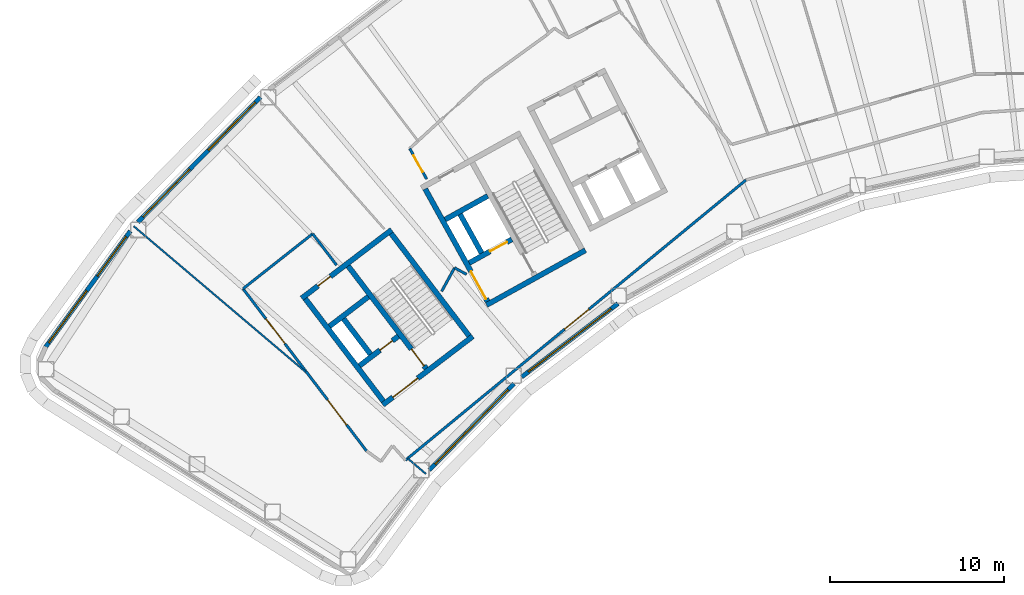
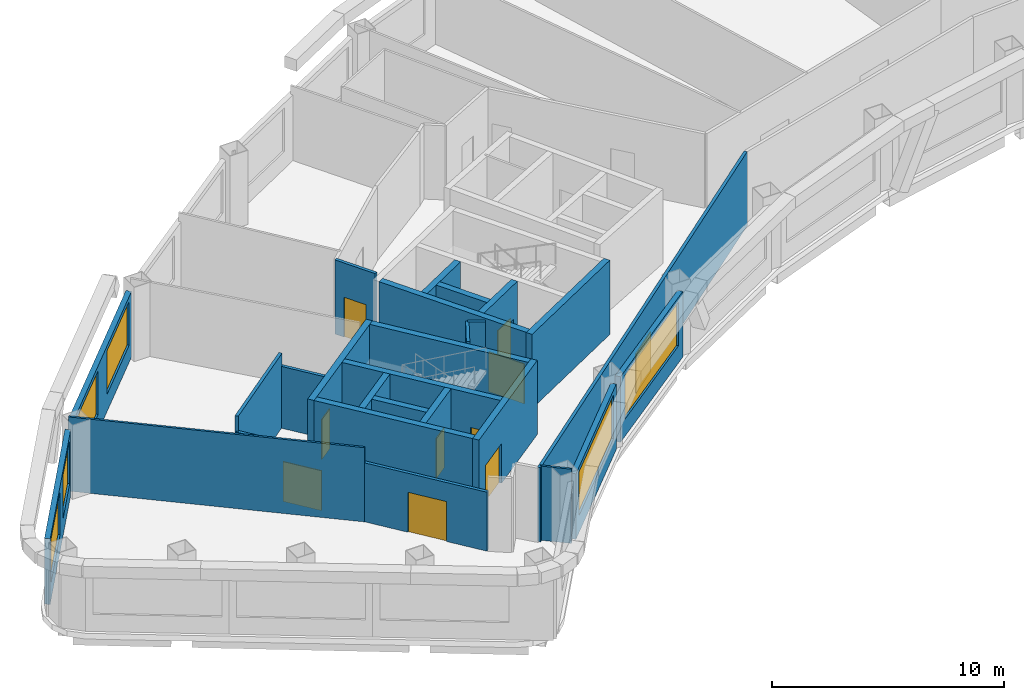
# One storey, part 5 of 14: 26 walls, 10 doors, 6 windows, 16 openings.
"""IFC4 building model written with IfcOpenShell, lengths in metres."""

from ifc_helpers import new_model, si_unit, direction, frame, frame_2d, origin, place, context, subcontext, project, spatial, rectangle, extrude, material, layer, layer_set, type_object, element, fill, save


model = new_model("IFC4")

# Units and contexts
model_context = context("Model", 3, precision=1e-05, world=origin(), true_north=direction((0.0, 1.0)))
body_context = subcontext(model_context, "Body", "Model", "MODEL_VIEW")
ifc_project = project(units=[si_unit("LENGTHUNIT", "METRE"), si_unit("AREAUNIT", "SQUARE_METRE"), si_unit("VOLUMEUNIT", "CUBIC_METRE"), si_unit("PLANEANGLEUNIT", "RADIAN"), si_unit("MASSUNIT", "GRAM", prefix="KILO")], contexts=[model_context])

# Site, building, storey
site_placement = place(None, origin())
site = spatial("IfcSite", under=ifc_project, at=site_placement, CompositionType="ELEMENT")
building_placement = place(site_placement, origin())
building = spatial("IfcBuilding", under=site, at=building_placement, Name="Tuul Gate Civic Tower", CompositionType="ELEMENT")
storey_placement = place(building_placement, frame((0.0, 0.0, 213.699951171875)))
storey = spatial("IfcBuildingStorey", under=building, at=storey_placement, Name="Level 48", CompositionType="ELEMENT", Elevation=213.699951171875)

# Wall, opening, door
ifc_material_1 = material(Name="Concrete C50/60", Category="concrete")
ifc_layer_1 = layer(ifc_material_1, 0.300048828125)
ifc_layer_set_1 = layer_set([ifc_layer_1], Name="Concrete C50/60")
wall_type_1 = type_object("IfcWallType", Name="Core wall C50/60", PredefinedType="SHEAR", material=ifc_layer_set_1)
wall_1_placement = place(storey_placement, frame((-31.19091796875, -13.669677734375, 0.0), z_axis=(0.0, 0.0, 1.0), x_axis=(-0.795606717756, -0.605813461934, 0.0)))
wall_1 = element("IfcWall", 1, at=wall_1_placement, inside=storey, type_object=wall_type_1, Name="Core wall", PredefinedType="SHEAR", context=body_context, shape_type="SweptSolid", body=[
    extrude(rectangle(XDim=6.5, YDim=0.300048828125, at=frame_2d((3.25, 0.0))), origin(), (0.0, 0.0, 1.0), 3.900146484375),
])
opening_1_placement = place(wall_1_placement, frame((3.97509765625, 0.0, 0.0)))
opening_1 = element("IfcOpeningElement", 2, at=opening_1_placement, cuts=wall_1, Name="Opening LB-W1-LOBBY-1", PredefinedType="OPENING", context=body_context, shape_type="SweptSolid", body=[
    extrude(rectangle(XDim=1.800048828125, YDim=2.10009765625, at=frame_2d((0.89990234375, 1.050048828125))), frame((0.0, 0.16015625, 0.0), z_axis=(0.0, -1.0, 0.0), x_axis=(1.0, 0.0, 0.0)), (0.0, 0.0, 1.0), 0.320068359375),
])
ifc_material_2 = material(Name="Steel", Category="steel")
door_type_1 = type_object("IfcDoorType", Name="Lobby door", OperationType="DOUBLE_DOOR_SINGLE_SWING", PredefinedType="DOOR", material=ifc_material_2)
door_1_placement = place(opening_1_placement, origin())
door_1 = element("IfcDoor", 3, at=door_1_placement, inside=storey, type_object=door_type_1, Name="Lobby door W1-LOBBY", OperationType="DOUBLE_DOOR_SINGLE_SWING", OverallHeight=2.10009765625, OverallWidth=1.800048828125, PredefinedType="DOOR", context=body_context, shape_type="SweptSolid", body=[
    extrude(rectangle(XDim=1.800048828125, YDim=2.10009765625, at=frame_2d((0.89990234375, 1.050048828125))), frame((0.0, 0.02490234375, 0.0), z_axis=(0.0, -1.0, 0.0), x_axis=(1.0, 0.0, 0.0)), (0.0, 0.0, 1.0), 0.050048828125),
])
fill(opening_1, door_1)

wall_2_placement = place(storey_placement, frame((-35.470947265625, -13.66064453125, 0.0), z_axis=(0.0, 0.0, 1.0), x_axis=(-0.795615822227, -0.605801504968, 0.0)))
wall_2 = element("IfcWall", 4, at=wall_2_placement, inside=storey, type_object=wall_type_1, Name="Core wall", PredefinedType="SHEAR", context=body_context, shape_type="SweptSolid", body=[
    extrude(rectangle(XDim=2.800048828125, YDim=0.300048828125, at=frame_2d((1.39990234375, 0.0))), origin(), (0.0, 0.0, 1.0), 3.900146484375),
])
opening_2_placement = place(wall_2_placement, frame((0.425048828125, 0.0, 0.0)))
opening_2 = element("IfcOpeningElement", 5, at=opening_2_placement, cuts=wall_2, Name="Opening FB-W1A1", PredefinedType="OPENING", context=body_context, shape_type="SweptSolid", body=[
    extrude(rectangle(XDim=0.89990234375, YDim=2.10009765625, at=frame_2d((0.449951171875, 1.050048828125))), frame((0.0, 0.16015625, 0.0), z_axis=(0.0, -1.0, 0.0), x_axis=(1.0, 0.0, 0.0)), (0.0, 0.0, 1.0), 0.320068359375),
])
ifc_material_3 = material(Name="Steel", Category="steel")
door_type_2 = type_object("IfcDoorType", Name="Store door", OperationType="NOTDEFINED", PredefinedType="DOOR", material=ifc_material_3)
door_2_placement = place(opening_2_placement, frame((0.89990234375, 0.0, 0.0), z_axis=(0.0, 0.0, 1.0), x_axis=(-1.0, 0.0, 0.0)))
door_2 = element("IfcDoor", 6, at=door_2_placement, inside=storey, type_object=door_type_2, Name="Store door W1A1", OperationType="SINGLE_SWING_RIGHT", OverallHeight=2.10009765625, OverallWidth=0.89990234375, PredefinedType="DOOR", context=body_context, shape_type="SweptSolid", body=[
    extrude(rectangle(XDim=0.89990234375, YDim=2.10009765625, at=frame_2d((0.449951171875, 1.050048828125))), frame((0.0, 0.02490234375, 0.0), z_axis=(0.0, -1.0, 0.0), x_axis=(1.0, 0.0, 0.0)), (0.0, 0.0, 1.0), 0.050048828125),
])
fill(opening_2, door_2)

# Wall
wall_3_placement = place(storey_placement, frame((-37.197509765625, -11.39306640625, 0.0), z_axis=(0.0, 0.0, 1.0), x_axis=(-0.795583820278, -0.605843531707, 0.0)))
element("IfcWall", 7, at=wall_3_placement, inside=storey, type_object=wall_type_1, Name="Core wall", PredefinedType="SHEAR", context=body_context, shape_type="SweptSolid", body=[
    extrude(rectangle(XDim=2.7998046875, YDim=0.300048828125, at=frame_2d((1.39990234375, 0.0))), origin(), (0.0, 0.0, 1.0), 3.900146484375),
])

# Wall, opening, door
wall_4_placement = place(storey_placement, frame((-35.855224609375, -7.543212890625, 0.0), z_axis=(0.0, 0.0, 1.0), x_axis=(-0.79563860527, -0.605771582202, 0.0)))
wall_4 = element("IfcWall", 8, at=wall_4_placement, inside=storey, type_object=wall_type_1, Name="Core wall", PredefinedType="SHEAR", context=body_context, shape_type="SweptSolid", body=[
    extrude(rectangle(XDim=6.5, YDim=0.300048828125, at=frame_2d((3.25, 0.0))), origin(), (0.0, 0.0, 1.0), 3.900146484375),
])
opening_3_placement = place(wall_4_placement, frame((4.425048828125, 0.0, 0.0)))
opening_3 = element("IfcOpeningElement", 9, at=opening_3_placement, cuts=wall_4, Name="Opening Q-D26", PredefinedType="OPENING", context=body_context, shape_type="SweptSolid", body=[
    extrude(rectangle(XDim=0.89990234375, YDim=2.10009765625, at=frame_2d((0.449951171875, 1.050048828125))), frame((0.0, 0.16015625, 0.0), z_axis=(0.0, -1.0, 0.0), x_axis=(1.0, 0.0, 0.0)), (0.0, 0.0, 1.0), 0.320068359375),
])
ifc_material_4 = material(Name="Timber door leaf", Category="wood")
door_type_3 = type_object("IfcDoorType", Name="Door D09", OperationType="NOTDEFINED", PredefinedType="DOOR", material=ifc_material_4)
door_3_placement = place(opening_3_placement, origin())
door_3 = element("IfcDoor", 10, at=door_3_placement, inside=storey, type_object=door_type_3, Name="Door Q-D26", OperationType="SINGLE_SWING_LEFT", OverallHeight=2.10009765625, OverallWidth=0.89990234375, PredefinedType="DOOR", context=body_context, shape_type="SweptSolid", body=[
    extrude(rectangle(XDim=0.89990234375, YDim=2.10009765625, at=frame_2d((0.449951171875, 1.050048828125))), frame((0.0, 0.02490234375, 0.0), z_axis=(0.0, -1.0, 0.0), x_axis=(1.0, 0.0, 0.0)), (0.0, 0.0, 1.0), 0.050048828125),
])
fill(opening_3, door_3)

# Wall
wall_5_placement = place(storey_placement, frame((-31.401123046875, -13.64111328125, 0.0), z_axis=(0.0, 0.0, 1.0), x_axis=(-0.605769822278, 0.795639945213, 0.0)))
element("IfcWall", 11, at=wall_5_placement, inside=storey, type_object=wall_type_1, Name="Core wall", PredefinedType="SHEAR", context=body_context, shape_type="SweptSolid", body=[
    extrude(rectangle(XDim=7.39990234375, YDim=0.300048828125, at=frame_2d((3.699951171875, 0.0))), origin(), (0.0, 0.0, 1.0), 3.900146484375),
])

# Wall, opening, door
wall_6_placement = place(storey_placement, frame((-33.867431640625, -15.51904296875, 0.0), z_axis=(0.0, 0.0, 1.0), x_axis=(-0.605769822278, 0.795639945213, 0.0)))
wall_6 = element("IfcWall", 12, at=wall_6_placement, inside=storey, type_object=wall_type_1, Name="Core wall", PredefinedType="SHEAR", context=body_context, shape_type="SweptSolid", body=[
    extrude(rectangle(XDim=7.39990234375, YDim=0.300048828125, at=frame_2d((3.699951171875, 0.0))), origin(), (0.0, 0.0, 1.0), 3.900146484375),
])
opening_4_placement = place(wall_6_placement, frame((0.199951171875, 0.0, 0.0)))
opening_4 = element("IfcOpeningElement", 13, at=opening_4_placement, cuts=wall_6, Name="Opening SD-ST-1", PredefinedType="OPENING", context=body_context, shape_type="SweptSolid", body=[
    extrude(rectangle(XDim=1.199951171875, YDim=2.10009765625, at=frame_2d((0.60009765625, 1.050048828125))), frame((0.0, 0.16015625, 0.0), z_axis=(0.0, -1.0, 0.0), x_axis=(1.0, 0.0, 0.0)), (0.0, 0.0, 1.0), 0.320068359375),
])
ifc_material_5 = material(Name="Steel", Category="steel")
door_type_4 = type_object("IfcDoorType", Name="Stair door", OperationType="NOTDEFINED", PredefinedType="DOOR", material=ifc_material_5)
door_4_placement = place(opening_4_placement, origin())
door_4 = element("IfcDoor", 14, at=door_4_placement, inside=storey, type_object=door_type_4, Name="Stair door ST-1", OperationType="SINGLE_SWING_LEFT", OverallHeight=2.10009765625, OverallWidth=1.199951171875, PredefinedType="DOOR", context=body_context, shape_type="SweptSolid", body=[
    extrude(rectangle(XDim=1.199951171875, YDim=2.10009765625, at=frame_2d((0.60009765625, 1.050048828125))), frame((0.0, 0.02490234375, 0.0), z_axis=(0.0, -1.0, 0.0), x_axis=(1.0, 0.0, 0.0)), (0.0, 0.0, 1.0), 0.050048828125),
])
fill(opening_4, door_4)

# Walls
wall_7_placement = place(storey_placement, frame((-37.073486328125, -14.6923828125, 0.0), z_axis=(0.0, 0.0, 1.0), x_axis=(-0.605728760074, 0.79567120673, 0.0)))
element("IfcWall", 15, at=wall_7_placement, inside=storey, type_object=wall_type_1, Name="Core wall", PredefinedType="SHEAR", context=body_context, shape_type="SweptSolid", body=[
    extrude(rectangle(XDim=2.550048828125, YDim=0.300048828125, at=frame_2d((1.27490234375, 0.0))), origin(), (0.0, 0.0, 1.0), 3.900146484375),
])
wall_8_placement = place(storey_placement, frame((-36.333984375, -17.397216796875, 0.0), z_axis=(0.0, 0.0, 1.0), x_axis=(-0.605753921168, 0.795652051458, 0.0)))
element("IfcWall", 16, at=wall_8_placement, inside=storey, type_object=wall_type_1, Name="Core wall", PredefinedType="SHEAR", context=body_context, shape_type="SweptSolid", body=[
    extrude(rectangle(XDim=7.400146484375, YDim=0.300048828125, at=frame_2d((3.7001953125, 0.0))), origin(), (0.0, 0.0, 1.0), 3.900146484375),
])
wall_9_placement = place(storey_placement, frame((-24.711669921875, -8.7158203125, 0.0), z_axis=(0.0, 0.0, 1.0), x_axis=(-0.874629909008, -0.484791215132, 0.0)))
element("IfcWall", 17, at=wall_9_placement, inside=storey, type_object=wall_type_1, Name="Core wall", PredefinedType="SHEAR", context=body_context, shape_type="SweptSolid", body=[
    extrude(rectangle(XDim=6.5, YDim=0.300048828125, at=frame_2d((3.25, 0.0))), origin(), (0.0, 0.0, 1.0), 3.900146484375),
])

# Wall, opening, door
wall_10_placement = place(storey_placement, frame((-28.94580078125, -8.090087890625, 0.0), z_axis=(0.0, 0.0, 1.0), x_axis=(-0.874629840737, -0.484791338301, 0.0)))
wall_10 = element("IfcWall", 18, at=wall_10_placement, inside=storey, type_object=wall_type_1, Name="Core wall", PredefinedType="SHEAR", context=body_context, shape_type="SweptSolid", body=[
    extrude(rectangle(XDim=2.800048828125, YDim=0.300048828125, at=frame_2d((1.39990234375, 0.0))), origin(), (0.0, 0.0, 1.0), 3.900146484375),
])
opening_5_placement = place(wall_10_placement, frame((0.324951171875, 0.0, 0.0)))
opening_5 = element("IfcOpeningElement", 19, at=opening_5_placement, cuts=wall_10, Name="Opening LD-FF-1", PredefinedType="OPENING", context=body_context, shape_type="SweptSolid", body=[
    extrude(rectangle(XDim=1.10009765625, YDim=2.10009765625, at=frame_2d((0.550048828125, 1.050048828125))), frame((0.0, 0.16015625, 0.0), z_axis=(0.0, -1.0, 0.0), x_axis=(1.0, 0.0, 0.0)), (0.0, 0.0, 1.0), 0.320068359375),
])
ifc_material_6 = material(Name="Stainless steel", Category="steel")
door_type_5 = type_object("IfcDoorType", Name="Landing door", OperationType="DOUBLE_DOOR_SLIDING", PredefinedType="DOOR", material=ifc_material_6)
door_5_placement = place(opening_5_placement, origin())
door_5 = element("IfcDoor", 20, at=door_5_placement, inside=storey, type_object=door_type_5, Name="Fire-fighting lift FF-1 landing door", OperationType="DOUBLE_DOOR_SLIDING", OverallHeight=2.10009765625, OverallWidth=1.10009765625, PredefinedType="DOOR", context=body_context, shape_type="SweptSolid", body=[
    extrude(rectangle(XDim=1.10009765625, YDim=2.10009765625, at=frame_2d((0.550048828125, 1.050048828125))), frame((0.0, 0.02490234375, 0.0), z_axis=(0.0, -1.0, 0.0), x_axis=(1.0, 0.0, 0.0)), (0.0, 0.0, 1.0), 0.050048828125),
])
fill(opening_5, door_5)

# Walls
wall_11_placement = place(storey_placement, frame((-30.327392578125, -5.59716796875, 0.0), z_axis=(0.0, 0.0, 1.0), x_axis=(-0.874629840737, -0.484791338301, 0.0)))
element("IfcWall", 21, at=wall_11_placement, inside=storey, type_object=wall_type_1, Name="Core wall", PredefinedType="SHEAR", context=body_context, shape_type="SweptSolid", body=[
    extrude(rectangle(XDim=2.800048828125, YDim=0.300048828125, at=frame_2d((1.39990234375, 0.0))), origin(), (0.0, 0.0, 1.0), 3.900146484375),
])
wall_12_placement = place(storey_placement, frame((-30.680419921875, -8.8798828125, 0.0), z_axis=(0.0, 0.0, 1.0), x_axis=(-0.484724115216, 0.874667097888, 0.0)))
element("IfcWall", 22, at=wall_12_placement, inside=storey, type_object=wall_type_1, Name="Core wall", PredefinedType="SHEAR", context=body_context, shape_type="SweptSolid", body=[
    extrude(rectangle(XDim=2.550048828125, YDim=0.300048828125, at=frame_2d((1.27490234375, 0.0))), origin(), (0.0, 0.0, 1.0), 3.900146484375),
])

# Wall, opening, door
wall_13_placement = place(storey_placement, frame((-30.33837890625, -11.6630859375, 0.0), z_axis=(0.0, 0.0, 1.0), x_axis=(-0.484751894226, 0.874651702704, 0.0)))
wall_13 = element("IfcWall", 23, at=wall_13_placement, inside=storey, type_object=wall_type_1, Name="Core wall", PredefinedType="SHEAR", context=body_context, shape_type="SweptSolid", body=[
    extrude(rectangle(XDim=7.39990234375, YDim=0.300048828125, at=frame_2d((3.699951171875, 0.0))), origin(), (0.0, 0.0, 1.0), 3.900146484375),
])
opening_6_placement = place(wall_13_placement, frame((0.175048828125, 0.0, 0.0)))
opening_6 = element("IfcOpeningElement", 24, at=opening_6_placement, cuts=wall_13, Name="Opening LB-W2-FLOBBY-1", PredefinedType="OPENING", context=body_context, shape_type="SweptSolid", body=[
    extrude(rectangle(XDim=1.800048828125, YDim=2.10009765625, at=frame_2d((0.89990234375, 1.050048828125))), frame((0.0, 0.16015625, 0.0), z_axis=(0.0, -1.0, 0.0), x_axis=(1.0, 0.0, 0.0)), (0.0, 0.0, 1.0), 0.320068359375),
])
door_6_placement = place(opening_6_placement, frame((1.800048828125, 0.0, 0.0), z_axis=(0.0, 0.0, 1.0), x_axis=(-1.0, 0.0, 0.0)))
door_6 = element("IfcDoor", 25, at=door_6_placement, inside=storey, type_object=door_type_1, Name="Lobby door W2-FLOBBY", OperationType="DOUBLE_DOOR_SINGLE_SWING", OverallHeight=2.10009765625, OverallWidth=1.800048828125, PredefinedType="DOOR", context=body_context, shape_type="SweptSolid", body=[
    extrude(rectangle(XDim=1.800048828125, YDim=2.10009765625, at=frame_2d((0.900146484375, 1.050048828125))), frame((0.0, 0.02490234375, 0.0), z_axis=(0.0, -1.0, 0.0), x_axis=(1.0, 0.0, 0.0)), (0.0, 0.0, 1.0), 0.050048828125),
])
fill(opening_6, door_6)

ifc_material_7 = material(Name="Gypsum board partition")
ifc_layer_2 = layer(ifc_material_7, 0.14990234375)
ifc_layer_set_2 = layer_set([ifc_layer_2], Name="Gypsum board partition")
wall_type_2 = type_object("IfcWallType", Name="Corridor wall P150", PredefinedType="PARTITIONING", material=ifc_layer_set_2)
wall_14_placement = place(storey_placement, frame((-34.8125, -2.867919921875, 0.0), z_axis=(0.0, 0.0, 1.0), x_axis=(0.484735632854, -0.87466071493, 0.0)))
wall_14 = element("IfcWall", 26, at=wall_14_placement, inside=storey, type_object=wall_type_2, Name="p051", PredefinedType="PARTITIONING", context=body_context, shape_type="SweptSolid", body=[
    extrude(rectangle(XDim=2.010986328125, YDim=0.14990234375, at=frame_2d((1.00537109375, 0.0))), origin(), (0.0, 0.0, 1.0), 3.900146484375),
])
opening_7_placement = place(wall_14_placement, frame((0.45556640625, 0.0, 0.0)))
opening_7 = element("IfcOpeningElement", 27, at=opening_7_placement, cuts=wall_14, Name="Opening Q-D18", PredefinedType="OPENING", context=body_context, shape_type="SweptSolid", body=[
    extrude(rectangle(XDim=1.10009765625, YDim=2.10009765625, at=frame_2d((0.550048828125, 1.050048828125))), frame((0.0, 0.0849609375, 0.0), z_axis=(0.0, -1.0, 0.0), x_axis=(1.0, 0.0, 0.0)), (0.0, 0.0, 1.0), 0.169921875),
])
ifc_material_8 = material(Name="Timber door leaf", Category="wood")
door_type_6 = type_object("IfcDoorType", Name="Door D11", OperationType="NOTDEFINED", PredefinedType="DOOR", material=ifc_material_8)
door_7_placement = place(opening_7_placement, frame((1.10009765625, 0.0, 0.0), z_axis=(0.0, 0.0, 1.0), x_axis=(-1.0, 0.0, 0.0)))
door_7 = element("IfcDoor", 28, at=door_7_placement, inside=storey, type_object=door_type_6, Name="Door Q-D18", OperationType="SINGLE_SWING_LEFT", OverallHeight=2.10009765625, OverallWidth=1.10009765625, PredefinedType="DOOR", context=body_context, shape_type="SweptSolid", body=[
    extrude(rectangle(XDim=1.10009765625, YDim=2.10009765625, at=frame_2d((0.550048828125, 1.050048828125))), frame((0.0, 0.02490234375, 0.0), z_axis=(0.0, -1.0, 0.0), x_axis=(1.0, 0.0, 0.0)), (0.0, 0.0, 1.0), 0.050048828125),
])
fill(opening_7, door_7)

# Walls
wall_15_placement = place(storey_placement, frame((-32.236328125, -9.727294921875, 0.0), z_axis=(0.0, 0.0, 1.0), x_axis=(0.877220430249, -0.480087821918, 0.0)))
element("IfcWall", 29, at=wall_15_placement, inside=storey, type_object=wall_type_2, Name="p052", PredefinedType="PARTITIONING", context=body_context, shape_type="SweptSolid", body=[
    extrude(rectangle(XDim=0.788818359375, YDim=0.14990234375, at=frame_2d((0.39453125, 0.0))), origin(), (0.0, 0.0, 1.0), 3.900146484375),
])
wall_16_placement = place(storey_placement, frame((-32.9755859375, -11.0771484375, 0.0), z_axis=(0.0, 0.0, 1.0), x_axis=(0.479974551529, 0.877282411704, 0.0)))
element("IfcWall", 30, at=wall_16_placement, inside=storey, type_object=wall_type_2, Name="p053", PredefinedType="PARTITIONING", context=body_context, shape_type="SweptSolid", body=[
    extrude(rectangle(XDim=1.53857421875, YDim=0.14990234375, at=frame_2d((0.769287109375, 0.0))), origin(), (0.0, 0.0, 1.0), 3.900146484375),
])
wall_17_placement = place(storey_placement, frame((-44.39892578125, -10.93115234375, 0.0), z_axis=(0.0, 0.0, 1.0), x_axis=(0.784827618776, 0.619714134748, 0.0)))
element("IfcWall", 31, at=wall_17_placement, inside=storey, type_object=wall_type_2, Name="p057", PredefinedType="PARTITIONING", context=body_context, shape_type="SweptSolid", body=[
    extrude(rectangle(XDim=5.099853515625, YDim=0.14990234375, at=frame_2d((2.5498046875, 0.0))), origin(), (0.0, 0.0, 1.0), 3.900146484375),
])

# Wall, opening, door
wall_18_placement = place(storey_placement, frame((-35.060791015625, -20.792724609375, 0.0), z_axis=(0.0, 0.0, 1.0), x_axis=(0.772182539478, 0.635400759935, 0.0)))
wall_18 = element("IfcWall", 32, at=wall_18_placement, inside=storey, type_object=wall_type_2, Name="p062", PredefinedType="PARTITIONING", context=body_context, shape_type="SweptSolid", body=[
    extrude(rectangle(XDim=25.356201171875, YDim=0.14990234375, at=frame_2d((12.67822265625, 0.0))), origin(), (0.0, 0.0, 1.0), 3.900146484375),
])
opening_8_placement = place(wall_18_placement, frame((11.860595703125, 0.0, 0.0)))
opening_8 = element("IfcOpeningElement", 33, at=opening_8_placement, cuts=wall_18, Name="Opening Q-D22", PredefinedType="OPENING", context=body_context, shape_type="SweptSolid", body=[
    extrude(rectangle(XDim=1.800048828125, YDim=2.10009765625, at=frame_2d((0.89990234375, 1.050048828125))), frame((0.0, 0.0849609375, 0.0), z_axis=(0.0, -1.0, 0.0), x_axis=(1.0, 0.0, 0.0)), (0.0, 0.0, 1.0), 0.169921875),
])
ifc_material_9 = material(Name="Timber door leaf, double", Category="wood")
door_type_7 = type_object("IfcDoorType", Name="Door D18", OperationType="DOUBLE_DOOR_SINGLE_SWING", PredefinedType="DOOR", material=ifc_material_9)
door_8_placement = place(opening_8_placement, origin())
door_8 = element("IfcDoor", 34, at=door_8_placement, inside=storey, type_object=door_type_7, Name="Door Q-D22", OperationType="DOUBLE_DOOR_SINGLE_SWING", OverallHeight=2.10009765625, OverallWidth=1.800048828125, PredefinedType="DOOR", context=body_context, shape_type="SweptSolid", body=[
    extrude(rectangle(XDim=1.800048828125, YDim=2.10009765625, at=frame_2d((0.89990234375, 1.050048828125))), frame((0.0, 0.02490234375, 0.0), z_axis=(0.0, -1.0, 0.0), x_axis=(1.0, 0.0, 0.0)), (0.0, 0.0, 1.0), 0.050048828125),
])
fill(opening_8, door_8)

# Wall, openings, doors
ifc_material_10 = material(Name="Gypsum board partition")
ifc_layer_3 = layer(ifc_material_10, 0.14990234375)
ifc_layer_set_3 = layer_set([ifc_layer_3], Name="Gypsum board partition")
wall_type_3 = type_object("IfcWallType", Name="Corridor wall P150 3100 HIGH", PredefinedType="PARTITIONING", material=ifc_layer_set_3)
wall_19_placement = place(storey_placement, frame((-44.399169921875, -10.931884765625, 0.0), z_axis=(0.0, 0.0, 1.0), x_axis=(0.605769572964, -0.79564013503, 0.0)))
wall_19 = element("IfcWall", 35, at=wall_19_placement, inside=storey, type_object=wall_type_3, Name="p058", PredefinedType="PARTITIONING", context=body_context, shape_type="SweptSolid", body=[
    extrude(rectangle(XDim=11.7216796875, YDim=0.14990234375, at=frame_2d((5.86083984375, 0.0))), origin(), (0.0, 0.0, 1.0), 3.10009765625),
])
opening_9_placement = place(wall_19_placement, frame((2.169921875, 0.0, 0.0)))
opening_9 = element("IfcOpeningElement", 36, at=opening_9_placement, cuts=wall_19, Name="Opening Q-D19", PredefinedType="OPENING", context=body_context, shape_type="SweptSolid", body=[
    extrude(rectangle(XDim=1.800048828125, YDim=2.10009765625, at=frame_2d((0.89990234375, 1.050048828125))), frame((0.0, 0.0849609375, 0.0), z_axis=(0.0, -1.0, 0.0), x_axis=(1.0, 0.0, 0.0)), (0.0, 0.0, 1.0), 0.169921875),
])
opening_10_placement = place(wall_19_placement, frame((8.030517578125, 0.0, 0.0)))
opening_10 = element("IfcOpeningElement", 37, at=opening_10_placement, cuts=wall_19, Name="Opening Q-D20", PredefinedType="OPENING", context=body_context, shape_type="SweptSolid", body=[
    extrude(rectangle(XDim=1.800048828125, YDim=2.10009765625, at=frame_2d((0.89990234375, 1.050048828125))), frame((0.0, 0.0849609375, 0.0), z_axis=(0.0, -1.0, 0.0), x_axis=(1.0, 0.0, 0.0)), (0.0, 0.0, 1.0), 0.169921875),
])
door_9_placement = place(opening_9_placement, origin())
door_9 = element("IfcDoor", 38, at=door_9_placement, inside=storey, type_object=door_type_7, Name="Door Q-D19", OperationType="DOUBLE_DOOR_SINGLE_SWING", OverallHeight=2.10009765625, OverallWidth=1.800048828125, PredefinedType="DOOR", context=body_context, shape_type="SweptSolid", body=[
    extrude(rectangle(XDim=1.800048828125, YDim=2.10009765625, at=frame_2d((0.89990234375, 1.050048828125))), frame((0.0, 0.02490234375, 0.0), z_axis=(0.0, -1.0, 0.0), x_axis=(1.0, 0.0, 0.0)), (0.0, 0.0, 1.0), 0.050048828125),
])
fill(opening_9, door_9)
door_10_placement = place(opening_10_placement, frame((1.800048828125, 0.0, 0.0), z_axis=(0.0, 0.0, 1.0), x_axis=(-1.0, 0.0, 0.0)))
door_10 = element("IfcDoor", 39, at=door_10_placement, inside=storey, type_object=door_type_7, Name="Door Q-D20", OperationType="DOUBLE_DOOR_SINGLE_SWING", OverallHeight=2.10009765625, OverallWidth=1.800048828125, PredefinedType="DOOR", context=body_context, shape_type="SweptSolid", body=[
    extrude(rectangle(XDim=1.800048828125, YDim=2.10009765625, at=frame_2d((0.900146484375, 1.050048828125))), frame((0.0, 0.02490234375, 0.0), z_axis=(0.0, -1.0, 0.0), x_axis=(1.0, 0.0, 0.0)), (0.0, 0.0, 1.0), 0.050048828125),
])
fill(opening_10, door_10)

# Wall
ifc_material_11 = material(Name="Gypsum board partition")
ifc_layer_4 = layer(ifc_material_11, 0.14990234375)
ifc_layer_set_4 = layer_set([ifc_layer_4], Name="Gypsum board partition")
wall_type_4 = type_object("IfcWallType", Name="Corridor wall P150 3250 HIGH", PredefinedType="PARTITIONING", material=ifc_layer_set_4)
wall_20_placement = place(storey_placement, frame((-40.395751953125, -7.770751953125, 0.0), z_axis=(0.0, 0.0, 1.0), x_axis=(0.605939480415, -0.795510745417, 0.0)))
element("IfcWall", 40, at=wall_20_placement, inside=storey, type_object=wall_type_4, Name="p056", PredefinedType="PARTITIONING", context=body_context, shape_type="SweptSolid", body=[
    extrude(rectangle(XDim=2.269287109375, YDim=0.14990234375, at=frame_2d((1.134765625, 0.0))), origin(), (0.0, 0.0, 1.0), 3.25),
])

# Wall, openings, windows
ifc_material_12 = material(Name="Precast concrete C40/50", Category="concrete")
ifc_layer_5 = layer(ifc_material_12, 0.25)
ifc_layer_set_5 = layer_set([ifc_layer_5], Name="Precast concrete C40/50")
wall_type_5 = type_object("IfcWallType", Name="External wall", PredefinedType="STANDARD", material=ifc_layer_set_5)
wall_21_placement = place(storey_placement, frame((-43.407958984375, 0.079345703125, 0.0), z_axis=(0.0, 0.0, 1.0), x_axis=(-0.699992252886, -0.714150436463, 0.0)))
wall_21 = element("IfcWall", 41, at=wall_21_placement, inside=storey, type_object=wall_type_5, Name="External wall", PredefinedType="STANDARD", context=body_context, shape_type="SweptSolid", body=[
    extrude(rectangle(XDim=10.05322265625, YDim=0.25, at=frame_2d((5.026611328125, 0.0))), origin(), (0.0, 0.0, 1.0), 3.449951171875),
])
opening_11_placement = place(wall_21_placement, frame((0.416015625, 0.0, 0.89990234375)))
opening_11 = element("IfcOpeningElement", 42, at=opening_11_placement, cuts=wall_21, Name="Opening W22", PredefinedType="OPENING", context=body_context, shape_type="SweptSolid", body=[
    extrude(rectangle(XDim=3.85009765625, YDim=2.300048828125, at=frame_2d((1.925048828125, 1.14990234375))), frame((0.0, 0.135009765625, 0.0), z_axis=(0.0, -1.0, 0.0), x_axis=(1.0, 0.0, 0.0)), (0.0, 0.0, 1.0), 0.27001953125),
])
opening_12_placement = place(wall_21_placement, frame((5.78759765625, 0.0, 0.89990234375)))
opening_12 = element("IfcOpeningElement", 43, at=opening_12_placement, cuts=wall_21, Name="Opening W22", PredefinedType="OPENING", context=body_context, shape_type="SweptSolid", body=[
    extrude(rectangle(XDim=3.85009765625, YDim=2.300048828125, at=frame_2d((1.925048828125, 1.14990234375))), frame((0.0, 0.135009765625, 0.0), z_axis=(0.0, -1.0, 0.0), x_axis=(1.0, 0.0, 0.0)), (0.0, 0.0, 1.0), 0.27001953125),
])
ifc_material_13 = material(Name="Glass", Category="glass")
window_type_1 = type_object("IfcWindowType", Name="Window W22 3850 x 2300", PartitioningType="SINGLE_PANEL", PredefinedType="WINDOW", material=ifc_material_13)
window_1_placement = place(opening_11_placement, origin())
window_1 = element("IfcWindow", 44, at=window_1_placement, inside=storey, type_object=window_type_1, Name="Window", OverallHeight=2.300048828125, OverallWidth=3.85009765625, PartitioningType="SINGLE_PANEL", PredefinedType="WINDOW", context=body_context, shape_type="SweptSolid", body=[
    extrude(rectangle(XDim=3.85009765625, YDim=2.300048828125, at=frame_2d((1.925048828125, 1.14990234375))), frame((0.0, 0.030029296875, 0.0), z_axis=(0.0, -1.0, 0.0), x_axis=(1.0, 0.0, 0.0)), (0.0, 0.0, 1.0), 0.06005859375),
])
fill(opening_11, window_1)
window_2_placement = place(opening_12_placement, origin())
window_2 = element("IfcWindow", 45, at=window_2_placement, inside=storey, type_object=window_type_1, Name="Window", OverallHeight=2.300048828125, OverallWidth=3.85009765625, PartitioningType="SINGLE_PANEL", PredefinedType="WINDOW", context=body_context, shape_type="SweptSolid", body=[
    extrude(rectangle(XDim=3.85009765625, YDim=2.300048828125, at=frame_2d((1.925048828125, 1.14990234375))), frame((0.0, 0.030029296875, 0.0), z_axis=(0.0, -1.0, 0.0), x_axis=(1.0, 0.0, 0.0)), (0.0, 0.0, 1.0), 0.06005859375),
])
fill(opening_12, window_2)

wall_22_placement = place(storey_placement, frame((-50.882080078125, -7.615966796875, 0.0), z_axis=(0.0, 0.0, 1.0), x_axis=(-0.589874908102, -0.807494639482, 0.0)))
wall_22 = element("IfcWall", 46, at=wall_22_placement, inside=storey, type_object=wall_type_5, Name="External wall", PredefinedType="STANDARD", context=body_context, shape_type="SweptSolid", body=[
    extrude(rectangle(XDim=8.25244140625, YDim=0.25, at=frame_2d((4.126220703125, 0.0))), origin(), (0.0, 0.0, 1.0), 3.449951171875),
])
opening_13_placement = place(wall_22_placement, frame((0.39990234375, 0.0, 0.89990234375)))
opening_13 = element("IfcOpeningElement", 47, at=opening_13_placement, cuts=wall_22, Name="Opening W23", PredefinedType="OPENING", context=body_context, shape_type="SweptSolid", body=[
    extrude(rectangle(XDim=2.800048828125, YDim=2.300048828125, at=frame_2d((1.39990234375, 1.14990234375))), frame((0.0, 0.135009765625, 0.0), z_axis=(0.0, -1.0, 0.0), x_axis=(1.0, 0.0, 0.0)), (0.0, 0.0, 1.0), 0.27001953125),
])
opening_14_placement = place(wall_22_placement, frame((4.251708984375, 0.0, 0.89990234375)))
opening_14 = element("IfcOpeningElement", 48, at=opening_14_placement, cuts=wall_22, Name="Opening W21", PredefinedType="OPENING", context=body_context, shape_type="SweptSolid", body=[
    extrude(rectangle(XDim=3.699951171875, YDim=2.300048828125, at=frame_2d((1.85009765625, 1.14990234375))), frame((0.0, 0.135009765625, 0.0), z_axis=(0.0, -1.0, 0.0), x_axis=(1.0, 0.0, 0.0)), (0.0, 0.0, 1.0), 0.27001953125),
])
ifc_material_14 = material(Name="Glass", Category="glass")
window_type_2 = type_object("IfcWindowType", Name="Window W21 3700 x 2300", PartitioningType="SINGLE_PANEL", PredefinedType="WINDOW", material=ifc_material_14)
window_3_placement = place(opening_14_placement, origin())
window_3 = element("IfcWindow", 49, at=window_3_placement, inside=storey, type_object=window_type_2, Name="Window", OverallHeight=2.300048828125, OverallWidth=3.699951171875, PartitioningType="SINGLE_PANEL", PredefinedType="WINDOW", context=body_context, shape_type="SweptSolid", body=[
    extrude(rectangle(XDim=3.699951171875, YDim=2.300048828125, at=frame_2d((1.85009765625, 1.14990234375))), frame((0.0, 0.030029296875, 0.0), z_axis=(0.0, -1.0, 0.0), x_axis=(1.0, 0.0, 0.0)), (0.0, 0.0, 1.0), 0.06005859375),
])
fill(opening_14, window_3)
ifc_material_15 = material(Name="Glass", Category="glass")
window_type_3 = type_object("IfcWindowType", Name="Window W23 2800 x 2300", PartitioningType="SINGLE_PANEL", PredefinedType="WINDOW", material=ifc_material_15)
window_4_placement = place(opening_13_placement, origin())
window_4 = element("IfcWindow", 50, at=window_4_placement, inside=storey, type_object=window_type_3, Name="Window", OverallHeight=2.300048828125, OverallWidth=2.800048828125, PartitioningType="SINGLE_PANEL", PredefinedType="WINDOW", context=body_context, shape_type="SweptSolid", body=[
    extrude(rectangle(XDim=2.800048828125, YDim=2.300048828125, at=frame_2d((1.39990234375, 1.14990234375))), frame((0.0, 0.030029296875, 0.0), z_axis=(0.0, -1.0, 0.0), x_axis=(1.0, 0.0, 0.0)), (0.0, 0.0, 1.0), 0.06005859375),
])
fill(opening_13, window_4)

# Wall, opening, window
wall_23_placement = place(storey_placement, frame((-33.69091796875, -21.3642578125, 0.0), z_axis=(0.0, 0.0, 1.0), x_axis=(0.700029726531, 0.714113703813, 0.0)))
wall_23 = element("IfcWall", 51, at=wall_23_placement, inside=storey, type_object=wall_type_5, Name="External wall", PredefinedType="STANDARD", context=body_context, shape_type="SweptSolid", body=[
    extrude(rectangle(XDim=6.968505859375, YDim=0.25, at=frame_2d((3.484375, 0.0))), origin(), (0.0, 0.0, 1.0), 3.449951171875),
])
opening_15_placement = place(wall_23_placement, frame((0.484375, 0.0, 0.89990234375)))
opening_15 = element("IfcOpeningElement", 52, at=opening_15_placement, cuts=wall_23, Name="Opening W26", PredefinedType="OPENING", context=body_context, shape_type="SweptSolid", body=[
    extrude(rectangle(XDim=6.0, YDim=2.300048828125, at=frame_2d((3.0, 1.14990234375))), frame((0.0, 0.135009765625, 0.0), z_axis=(0.0, -1.0, 0.0), x_axis=(1.0, 0.0, 0.0)), (0.0, 0.0, 1.0), 0.27001953125),
])
ifc_material_16 = material(Name="Glass", Category="glass")
window_type_4 = type_object("IfcWindowType", Name="Window W26 6000 x 2300", PartitioningType="SINGLE_PANEL", PredefinedType="WINDOW", material=ifc_material_16)
window_5_placement = place(opening_15_placement, origin())
window_5 = element("IfcWindow", 53, at=window_5_placement, inside=storey, type_object=window_type_4, Name="Window", OverallHeight=2.300048828125, OverallWidth=6.0, PartitioningType="SINGLE_PANEL", PredefinedType="WINDOW", context=body_context, shape_type="SweptSolid", body=[
    extrude(rectangle(XDim=6.0, YDim=2.300048828125, at=frame_2d((3.0, 1.14990234375))), frame((0.0, 0.030029296875, 0.0), z_axis=(0.0, -1.0, 0.0), x_axis=(1.0, 0.0, 0.0)), (0.0, 0.0, 1.0), 0.06005859375),
])
fill(opening_15, window_5)

wall_24_placement = place(storey_placement, frame((-28.376953125, -16.00390625, 0.0), z_axis=(0.0, 0.0, 1.0), x_axis=(0.79557348273, 0.605857106566, 0.0)))
wall_24 = element("IfcWall", 54, at=wall_24_placement, inside=storey, type_object=wall_type_5, Name="External wall", PredefinedType="STANDARD", context=body_context, shape_type="SweptSolid", body=[
    extrude(rectangle(XDim=6.956787109375, YDim=0.25, at=frame_2d((3.478515625, 0.0))), origin(), (0.0, 0.0, 1.0), 3.449951171875),
])
opening_16_placement = place(wall_24_placement, frame((0.478271484375, 0.0, 0.89990234375)))
opening_16 = element("IfcOpeningElement", 55, at=opening_16_placement, cuts=wall_24, Name="Opening W26", PredefinedType="OPENING", context=body_context, shape_type="SweptSolid", body=[
    extrude(rectangle(XDim=6.0, YDim=2.300048828125, at=frame_2d((3.0, 1.14990234375))), frame((0.0, 0.135009765625, 0.0), z_axis=(0.0, -1.0, 0.0), x_axis=(1.0, 0.0, 0.0)), (0.0, 0.0, 1.0), 0.27001953125),
])
window_6_placement = place(opening_16_placement, origin())
window_6 = element("IfcWindow", 56, at=window_6_placement, inside=storey, type_object=window_type_4, Name="Window", OverallHeight=2.300048828125, OverallWidth=6.0, PartitioningType="SINGLE_PANEL", PredefinedType="WINDOW", context=body_context, shape_type="SweptSolid", body=[
    extrude(rectangle(XDim=6.0, YDim=2.300048828125, at=frame_2d((3.0, 1.14990234375))), frame((0.0, 0.030029296875, 0.0), z_axis=(0.0, -1.0, 0.0), x_axis=(1.0, 0.0, 0.0)), (0.0, 0.0, 1.0), 0.06005859375),
])
fill(opening_16, window_6)

# Walls
ifc_material_17 = material(Name="Gypsum board partition")
ifc_layer_6 = layer(ifc_material_17, 0.10009765625)
ifc_layer_set_6 = layer_set([ifc_layer_6], Name="Gypsum board partition")
wall_type_6 = type_object("IfcWallType", Name="Partition P100", PredefinedType="PARTITIONING", material=ifc_layer_set_6)
wall_25_placement = place(storey_placement, frame((-50.68408203125, -7.3369140625, 0.0), z_axis=(0.0, 0.0, 1.0), x_axis=(0.762828846954, -0.646600456429, 0.0)))
element("IfcWall", 57, at=wall_25_placement, inside=storey, type_object=wall_type_6, Name="p054", PredefinedType="PARTITIONING", context=body_context, shape_type="SweptSolid", body=[
    extrude(rectangle(XDim=12.96435546875, YDim=0.10009765625, at=frame_2d((6.482177734375, 0.0))), origin(), (0.0, 0.0, 1.0), 3.900146484375),
])
wall_26_placement = place(storey_placement, frame((-34.93310546875, -20.687744140625, 0.0), z_axis=(0.0, 0.0, 1.0), x_axis=(0.762682383891, -0.646773207008, 0.0)))
element("IfcWall", 58, at=wall_26_placement, inside=storey, type_object=wall_type_6, Name="p055", PredefinedType="PARTITIONING", context=body_context, shape_type="SweptSolid", body=[
    extrude(rectangle(XDim=1.369140625, YDim=0.10009765625, at=frame_2d((0.6845703125, 0.0))), origin(), (0.0, 0.0, 1.0), 3.900146484375),
])

save(model, "model.ifc")
